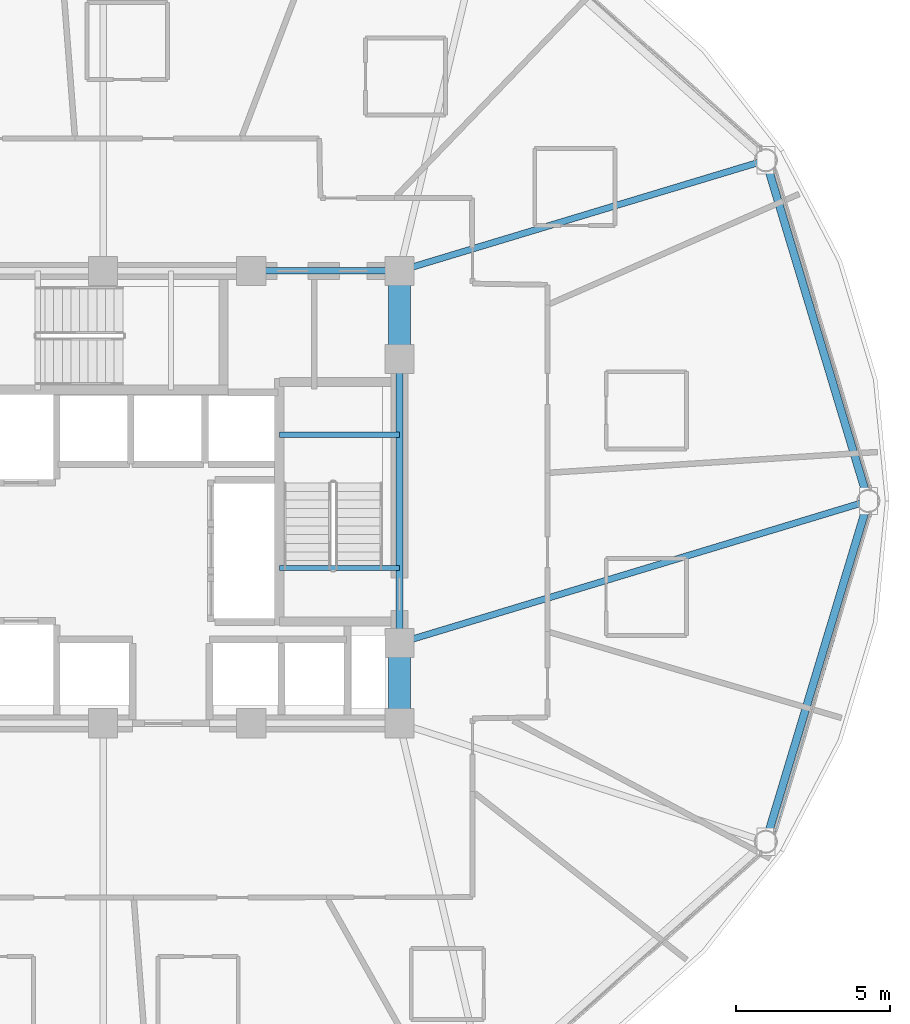
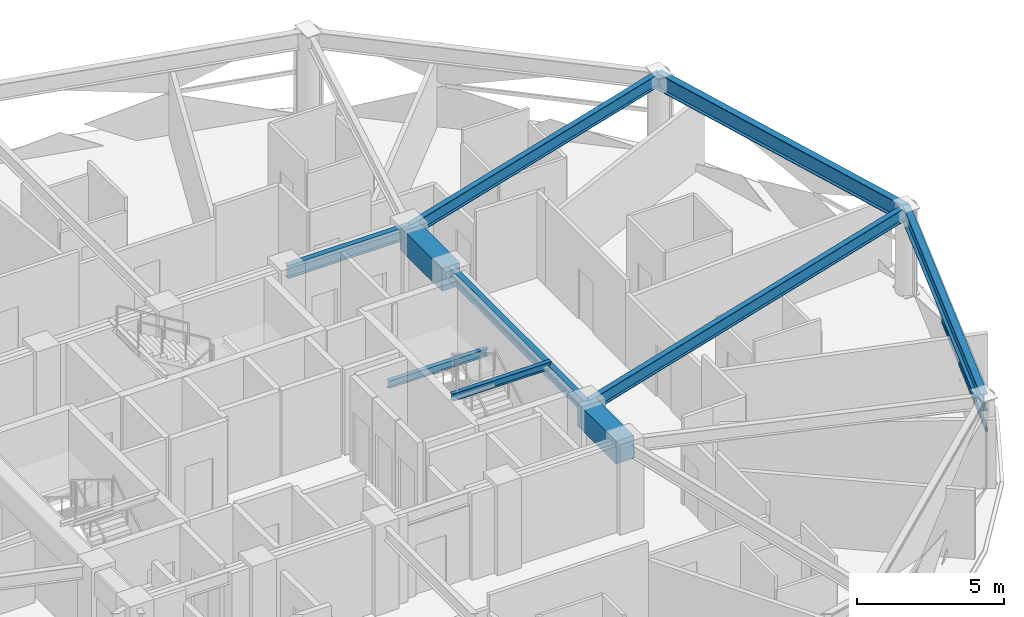
# One storey, part 12 of 30: 10 beams, 1 member, 1 element without a shape of its own.
"""IFC4 building model written with IfcOpenShell, lengths in metres."""

import ifcopenshell
import ifcopenshell.guid

model = None  # the IFC model being written
_history = None  # IfcOwnerHistory: only IFC2X3 demands one
_inside = {}  # id of a spatial element -> (the spatial element, [elements in it])
_under = {}  # id of a project, library or spatial element -> (it, [spatial elements below it])
_declared = {}  # id of a project -> (the project, [libraries it declares])
_typed = {}  # id of a type object -> (the type object, [elements of that type])
_made_of = {}  # id of a material, layer set ... -> (it, [elements and type objects made of it])


def new_model(schema):
    """Start an empty IFC model of exactly this schema.

    Asked for "IFC4X3", IfcOpenShell would pick the latest addendum, in which some entities
    have other attributes; the version numbers below select the first issue.
    IFC2X3 requires an IfcOwnerHistory on every rooted entity: one is made here for all.
    """
    global model, _history
    if schema == "IFC4X3":
        model = ifcopenshell.file(schema_version=(4, 3, 0, 0))
    else:
        model = ifcopenshell.file(schema=schema)
    _inside.clear()
    _under.clear()
    _declared.clear()
    _typed.clear()
    _made_of.clear()
    _history = None
    if model.schema == "IFC2X3":
        org = make("IfcOrganization", Name="unknown")
        user = make(
            "IfcPersonAndOrganization",
            ThePerson=make("IfcPerson", FamilyName="unknown"),
            TheOrganization=org,
        )
        app = make(
            "IfcApplication",
            ApplicationDeveloper=org,
            Version="unknown",
            ApplicationFullName="unknown",
            ApplicationIdentifier="unknown",
        )
        _history = make(
            "IfcOwnerHistory",
            OwningUser=user,
            OwningApplication=app,
            ChangeAction="ADDED",
            CreationDate=0,
        )
    return model


def make(cls, **values):
    """One entity of the class cls with the attributes given. An attribute that is None is left unset."""
    return model.create_entity(
        cls, **{name: value for name, value in values.items() if value is not None}
    )


def rooted(cls, **values):
    """An entity with a GlobalId (a new one), such as an element, a storey or a relation."""
    return make(cls, GlobalId=ifcopenshell.guid.new(), OwnerHistory=_history, **values)


def si_unit(unit_type, name, prefix=None):
    """IfcSIUnit, for example si_unit("LENGTHUNIT", "METRE", prefix="MILLI")."""
    return make("IfcSIUnit", UnitType=unit_type, Prefix=prefix, Name=name)


def assignment(units):
    """IfcUnitAssignment: the units of a project."""
    return None if units is None else make("IfcUnitAssignment", Units=units)


def point(xyz):
    """IfcCartesianPoint."""
    return None if xyz is None else make("IfcCartesianPoint", Coordinates=xyz)


def direction(xyz):
    """IfcDirection."""
    return None if xyz is None else make("IfcDirection", DirectionRatios=xyz)


def frame(location, z_axis=None, x_axis=None):
    """IfcAxis2Placement3D, a coordinate frame: its origin and axes. An axis left out is left unset."""
    return make(
        "IfcAxis2Placement3D",
        Location=point(location),
        Axis=direction(z_axis),
        RefDirection=direction(x_axis),
    )


def frame_2d(location, x_axis=None):
    """IfcAxis2Placement2D, a coordinate frame in the plane: its origin and x axis."""
    return make(
        "IfcAxis2Placement2D", Location=point(location), RefDirection=direction(x_axis)
    )


def origin():
    """The frame at (0, 0, 0) with its axes left unset."""
    return frame((0.0, 0.0, 0.0))


def origin_2d():
    """The frame at (0, 0) in the plane with its x axis left unset."""
    return frame_2d((0.0, 0.0))


def place(relative_to, where):
    """IfcLocalPlacement: puts the frame where relative to a parent placement (None: the world)."""
    return make(
        "IfcLocalPlacement", PlacementRelTo=relative_to, RelativePlacement=where
    )


def context(
    kind, dimensions, precision=None, world=None, true_north=None, identifier=None
):
    """IfcGeometricRepresentationContext, for example the 3D "Model" context."""
    return make(
        "IfcGeometricRepresentationContext",
        ContextIdentifier=identifier,
        ContextType=kind,
        CoordinateSpaceDimension=dimensions,
        Precision=precision,
        WorldCoordinateSystem=world,
        TrueNorth=true_north,
    )


def subcontext(parent, identifier, kind, view, scale=None):
    """IfcGeometricRepresentationSubContext, for example "Body" below "Model"."""
    return make(
        "IfcGeometricRepresentationSubContext",
        ContextIdentifier=identifier,
        ContextType=kind,
        ParentContext=parent,
        TargetScale=scale,
        TargetView=view,
    )


def project(units=None, contexts=None):
    """IfcProject with its units and contexts."""
    return rooted(
        "IfcProject",
        Name="project",
        RepresentationContexts=contexts,
        UnitsInContext=assignment(units),
    )


def spatial(cls, under=None, at=None, **own):
    """A site, building, storey or space (cls), placed at a placement, below another one or the project."""
    s = rooted(cls, ObjectPlacement=at, **own)
    if under is not None:
        _under.setdefault(under.id(), (under, []))[1].append(s)
    return s


def profile(cls, at=None, kind="AREA", **sizes):
    """A parametric profile (cls). Its sizes go by their IFC names, for example OverallWidth=200.0."""
    return make(cls, ProfileType=kind, Position=at, **sizes)


def rectangle(**sizes):
    """IfcRectangleProfileDef."""
    return profile("IfcRectangleProfileDef", **sizes)


def hollow_rectangle(**sizes):
    """IfcRectangleHollowProfileDef."""
    return profile("IfcRectangleHollowProfileDef", **sizes)


def i_section(**sizes):
    """IfcIShapeProfileDef."""
    return profile("IfcIShapeProfileDef", **sizes)


def extrude(swept, where, along, depth):
    """IfcExtrudedAreaSolid: the profile swept, set in the frame where, extruded along a direction by depth."""
    return make(
        "IfcExtrudedAreaSolid",
        SweptArea=swept,
        Position=where,
        ExtrudedDirection=direction(along),
        Depth=depth,
    )


def shape(context_of_items, identifier, shape_type, items):
    """IfcShapeRepresentation: the items that make up one representation, for example the "Body"."""
    return make(
        "IfcShapeRepresentation",
        ContextOfItems=context_of_items,
        RepresentationIdentifier=identifier,
        RepresentationType=shape_type,
        Items=items,
    )


def material(Name=None, Category=None):
    """IfcMaterial."""
    return make("IfcMaterial", Name=Name, Category=Category)


def layer(
    of_material, thickness, ventilated=None, Name=None, Category=None, Priority=None
):
    """IfcMaterialLayer: one layer of a wall or slab, of a material (None: an air gap)."""
    return make(
        "IfcMaterialLayer",
        Material=of_material,
        LayerThickness=thickness,
        IsVentilated=ventilated,
        Name=Name,
        Category=Category,
        Priority=Priority,
    )


def layer_set(layers, Name=None):
    """IfcMaterialLayerSet."""
    return make("IfcMaterialLayerSet", MaterialLayers=layers, LayerSetName=Name)


def material_profile(
    of_material, cross_section, Name=None, Category=None, Priority=None
):
    """IfcMaterialProfile: a cross section and its material."""
    return make(
        "IfcMaterialProfile",
        Name=Name,
        Material=of_material,
        Profile=cross_section,
        Priority=Priority,
        Category=Category,
    )


def profile_set(profiles, Name=None, composite=None):
    """IfcMaterialProfileSet."""
    return make(
        "IfcMaterialProfileSet",
        Name=Name,
        MaterialProfiles=profiles,
        CompositeProfile=composite,
    )


def made_of(thing, what):
    """Note that an element or type object is made of a material, layer set ...; save() writes the relation."""
    if what is not None:
        _made_of.setdefault(what.id(), (what, []))[1].append(thing)
    return thing


def type_object(cls, material=None, **own):
    """A type object (cls), such as IfcWallType, which elements share."""
    return made_of(rooted(cls, **own), material)


def element(
    cls,
    number,
    at=None,
    inside=None,
    cuts=None,
    type_object=None,
    material=None,
    context=None,
    identifier="Body",
    shape_type=None,
    held_by="IfcProductDefinitionShape",
    body=None,
    shapes=None,
    **own,
):
    """One element of the class cls, such as IfcWall. Its Tag is "e" and its number.

    at: its placement. inside: the storey or other place that contains it. cuts: it is an
    opening in that element (IfcRelVoidsElement). A single representation is given by context,
    identifier, shape_type and body (its items); several are given by shapes. held_by: the class
    of the entity that holds the representations. save() writes the other relations.
    """
    e = rooted(cls, Tag="e%d" % number, ObjectPlacement=at, **own)
    if body is not None:
        shapes = [shape(context, identifier, shape_type, body)]
    if shapes is not None:
        e.Representation = make(held_by, Representations=shapes)
    if inside is not None:
        _inside.setdefault(inside.id(), (inside, []))[1].append(e)
    if cuts is not None:
        rooted(
            "IfcRelVoidsElement", RelatingBuildingElement=cuts, RelatedOpeningElement=e
        )
    if type_object is not None:
        _typed.setdefault(type_object.id(), (type_object, []))[1].append(e)
    return made_of(e, material)


def aggregate(whole, parts):
    """IfcRelAggregates: a whole, such as a stair, and the parts it consists of."""
    return rooted("IfcRelAggregates", RelatingObject=whole, RelatedObjects=parts)


def save(model, path):
    """Write the relations noted so far, then the file.

    IfcRelAggregates (storeys below a building ...), IfcRelContainedInSpatialStructure (elements
    in a storey), IfcRelDefinesByType, IfcRelAssociatesMaterial and IfcRelDeclares: one each for
    every whole, place, type object, material and project.
    """
    for whole, parts in _under.values():
        aggregate(whole, parts)
    for where, things in _inside.values():
        rooted(
            "IfcRelContainedInSpatialStructure",
            RelatedElements=things,
            RelatingStructure=where,
        )
    for kind, things in _typed.values():
        rooted("IfcRelDefinesByType", RelatedObjects=things, RelatingType=kind)
    for what, things in _made_of.values():
        rooted("IfcRelAssociatesMaterial", RelatedObjects=things, RelatingMaterial=what)
    for by, libraries in _declared.values():
        rooted("IfcRelDeclares", RelatingContext=by, RelatedDefinitions=libraries)
    model.write(path)


model = new_model("IFC4")

# Units and contexts
model_context = context("Model", 3, precision=1e-05, world=origin(), true_north=direction((0.0, 1.0)))
body_context = subcontext(model_context, "Body", "Model", "MODEL_VIEW")
ifc_project = project(units=[si_unit("LENGTHUNIT", "METRE"), si_unit("AREAUNIT", "SQUARE_METRE"), si_unit("VOLUMEUNIT", "CUBIC_METRE"), si_unit("PLANEANGLEUNIT", "RADIAN"), si_unit("MASSUNIT", "GRAM", prefix="KILO")], contexts=[model_context])

# Site, building, storey
site_placement = place(None, origin())
site = spatial("IfcSite", under=ifc_project, at=site_placement, CompositionType="ELEMENT")
building_placement = place(site_placement, origin())
building = spatial("IfcBuilding", under=site, at=building_placement, Name="Vantalir Tower", CompositionType="ELEMENT")
storey_placement = place(building_placement, frame((0.0, 0.0, 153.449951171875)))
storey = spatial("IfcBuildingStorey", under=building, at=storey_placement, Name="L38", CompositionType="ELEMENT", Elevation=153.449951171875)

# Beams
ifc_material_1 = material(Name="Concrete C60/75", Category="concrete")
ifc_material_profile_1 = material_profile(ifc_material_1, rectangle(XDim=0.699951171875, YDim=0.949951171875, at=origin_2d()), Name="Concrete C60/75")
ifc_profile_set_1 = profile_set([ifc_material_profile_1], Name="Concrete C60/75")
beam_type_1 = type_object("IfcBeamType", Name="BM-CB-700x950", PredefinedType="USERDEFINED", material=ifc_profile_set_1)
beam_1_placement = place(storey_placement, frame((41.10009765625, 17.800048828125, 3.094970703125), z_axis=(0.0, 1.0, 0.0), x_axis=(-1.0, 0.0, 0.0)))
element("IfcBeam", 1, at=beam_1_placement, inside=storey, type_object=beam_type_1, Name="L38 Core Coupling Girder 05", ObjectType="GIRDER", PredefinedType="USERDEFINED", context=body_context, shape_type="SweptSolid", body=[
    extrude(rectangle(XDim=0.699951171875, YDim=0.949951171875, at=origin_2d()), origin(), (0.0, 0.0, 1.0), 2.599853515625),
])
beam_2_placement = place(storey_placement, frame((41.10009765625, 29.60009765625, 3.094970703125), z_axis=(0.0, 1.0, 0.0), x_axis=(-1.0, 0.0, 0.0)))
element("IfcBeam", 2, at=beam_2_placement, inside=storey, type_object=beam_type_1, Name="L38 Core Coupling Girder 07", ObjectType="GIRDER", PredefinedType="USERDEFINED", context=body_context, shape_type="SweptSolid", body=[
    extrude(rectangle(XDim=0.699951171875, YDim=0.949951171875, at=origin_2d()), origin(), (0.0, 0.0, 1.0), 2.849853515625),
])
ifc_material_2 = material(Name="Steel S355", Category="steel")
ifc_material_profile_2 = material_profile(ifc_material_2, i_section(OverallWidth=0.166015625, OverallDepth=0.306884765625, WebThickness=0.006591796875, FlangeThickness=0.01171875, at=origin_2d()), Name="Steel S355")
ifc_profile_set_2 = profile_set([ifc_material_profile_2], Name="Steel S355")
beam_type_2 = type_object("IfcBeamType", Name="BM-JS-305x165", PredefinedType="JOIST", material=ifc_profile_set_2)
for number, where, z_axis, x_axis, name in (
    (3, (37.2099609375, 22.8349609375, 3.595947265625), (1.0, 0.0, 0.0), (0.0, 1.0, 0.0), "L39 Stair ST2 Well Nosing Trimmer Beam"),
    (4, (37.2099609375, 27.14501953125, 1.52197265625), (1.0, 0.0, 0.0), (0.0, 1.0, 0.0), "L38 Stair ST2 Half-Landing Support Beam"),
):
    element("IfcBeam", number, at=place(storey_placement, frame(where, z_axis=z_axis, x_axis=x_axis)), inside=storey, type_object=beam_type_2, Name=name, PredefinedType="JOIST", context=body_context, shape_type="SweptSolid", body=[
        extrude(i_section(OverallWidth=0.166015625, OverallDepth=0.306884765625, WebThickness=0.006591796875, FlangeThickness=0.01171875, at=origin_2d()), origin(), (0.0, 0.0, 1.0), 3.89013671875),
    ])
ifc_material_profile_3 = material_profile(ifc_material_2, i_section(OverallWidth=0.2109375, OverallDepth=0.5390625, WebThickness=0.01171875, FlangeThickness=0.018798828125, at=origin_2d()), Name="Steel S355")
ifc_profile_set_3 = profile_set([ifc_material_profile_3], Name="Steel S355")
beam_type_3 = type_object("IfcBeamType", Name="BM-RB-533x210", PredefinedType="BEAM", material=ifc_profile_set_3)
beam_3_placement = place(storey_placement, frame((41.10009765625, 20.39990234375, 3.301025390625), z_axis=(0.0, 1.0, 0.0), x_axis=(-1.0, 0.0, 0.0)))
element("IfcBeam", 5, at=beam_3_placement, inside=storey, type_object=beam_type_3, Name="L38 Core Coupling Girder 06", PredefinedType="BEAM", context=body_context, shape_type="SweptSolid", body=[
    extrude(i_section(OverallWidth=0.2109375, OverallDepth=0.5390625, WebThickness=0.01171875, FlangeThickness=0.018798828125, at=origin_2d()), origin(), (0.0, 0.0, 1.0), 9.2001953125),
])
beam_4_placement = place(storey_placement, frame((41.10009765625, 32.449951171875, 3.301025390625), z_axis=(-1.0, 0.0, 0.0), x_axis=(0.0, -1.0, 0.0)))
element("IfcBeam", 6, at=beam_4_placement, inside=storey, type_object=beam_type_3, Name="L38 Core Coupling Girder 08", PredefinedType="BEAM", context=body_context, shape_type="SweptSolid", body=[
    extrude(i_section(OverallWidth=0.2109375, OverallDepth=0.5390625, WebThickness=0.01171875, FlangeThickness=0.018798828125, at=origin_2d()), origin(), (0.0, 0.0, 1.0), 4.800048828125),
])
beam_5_placement = place(storey_placement, frame((56.282958984375, 25.0, 3.301025390625), z_axis=(-0.957037864084, -0.289962974723, 0.0), x_axis=(0.289962974723, -0.957037864084, 0.0)))
element("IfcBeam", 7, at=beam_5_placement, inside=storey, type_object=beam_type_3, Name="L38 Radial Floor Beam 01", PredefinedType="BEAM", context=body_context, shape_type="SweptSolid", body=[
    extrude(i_section(OverallWidth=0.2109375, OverallDepth=0.5390625, WebThickness=0.01171875, FlangeThickness=0.018798828125, at=origin_2d()), origin(), (0.0, 0.0, 1.0), 15.864501953125),
])
beam_6_placement = place(storey_placement, frame((52.962890625, 36.033935546875, 3.301025390625), z_axis=(-0.957265983096, -0.289208986043, 0.0), x_axis=(0.289208986043, -0.957265983096, 0.0)))
element("IfcBeam", 8, at=beam_6_placement, inside=storey, type_object=beam_type_3, Name="L38 Radial Floor Beam 02", PredefinedType="BEAM", context=body_context, shape_type="SweptSolid", body=[
    extrude(i_section(OverallWidth=0.2109375, OverallDepth=0.5390625, WebThickness=0.01171875, FlangeThickness=0.018798828125, at=origin_2d()), origin(), (0.0, 0.0, 1.0), 12.392333984375),
])
ifc_material_3 = material(Name="Steel S460", Category="steel")
ifc_material_profile_4 = material_profile(ifc_material_3, i_section(OverallWidth=0.256103515625, OverallDepth=0.693115234375, WebThickness=0.014404296875, FlangeThickness=0.023681640625, at=origin_2d()), Name="Steel S460")
ifc_profile_set_4 = profile_set([ifc_material_profile_4], Name="Steel S460")
beam_type_4 = type_object("IfcBeamType", Name="BM-RG-686x254", PredefinedType="USERDEFINED", material=ifc_profile_set_4)
beam_7_placement = place(storey_placement, frame((56.282958984375, 25.0, 3.22412109375), z_axis=(-0.288135047515, 0.957589783986, 0.0), x_axis=(-0.957589783986, -0.288135047515, 0.0)))
element("IfcBeam", 9, at=beam_7_placement, inside=storey, type_object=beam_type_4, Name="L38 Circumferential Ring Girder 01", ObjectType="GIRDER", PredefinedType="USERDEFINED", context=body_context, shape_type="SweptSolid", body=[
    extrude(i_section(OverallWidth=0.256103515625, OverallDepth=0.693115234375, WebThickness=0.014404296875, FlangeThickness=0.023681640625, at=origin_2d()), origin(), (0.0, 0.0, 1.0), 11.522705078125),
])
beam_8_placement = place(storey_placement, frame((52.962890625, 13.965087890625, 3.22412109375), z_axis=(0.288111665009, 0.95759681938, 0.0), x_axis=(-0.95759681938, 0.288111665009, 0.0)))
element("IfcBeam", 10, at=beam_8_placement, inside=storey, type_object=beam_type_4, Name="L38 Circumferential Ring Girder 12", ObjectType="GIRDER", PredefinedType="USERDEFINED", context=body_context, shape_type="SweptSolid", body=[
    extrude(i_section(OverallWidth=0.256103515625, OverallDepth=0.693115234375, WebThickness=0.014404296875, FlangeThickness=0.023681640625, at=origin_2d()), origin(), (0.0, 0.0, 1.0), 11.5234375),
])

# Curtain wall, member
ifc_material_4 = material(Name="Champagne-silver PVDF aluminium and double-silver Low-E glass", Category="aluminium")
ifc_layer = layer(ifc_material_4, 0.199951171875)
ifc_layer_set = layer_set([ifc_layer], Name="Champagne-silver PVDF aluminium and double-silver Low-E glass")
curtain_wall_type = type_object("IfcCurtainWallType", Name="CW-DIAMOND-Z2", PredefinedType="USERDEFINED", material=ifc_layer_set)
curtain_wall_placement = place(storey_placement, origin())
curtain_wall = element("IfcCurtainWall", 11, at=curtain_wall_placement, inside=storey, type_object=curtain_wall_type, Name="L38 Quilted Pyramid-Diamond Curtain Wall S12", ObjectType="UNITISED CURTAIN WALL", PredefinedType="USERDEFINED")
ifc_material_5 = material(Name="Champagne-silver PVDF aluminium 6063-T6", Category="aluminium")
ifc_material_profile_5 = material_profile(ifc_material_5, hollow_rectangle(XDim=0.074951171875, YDim=0.159912109375, WallThickness=0.00390625, at=origin_2d()), Name="Champagne-silver PVDF aluminium 6063-T6")
ifc_profile_set_5 = profile_set([ifc_material_profile_5], Name="Champagne-silver PVDF aluminium 6063-T6")
member_type = type_object("IfcMemberType", Name="CWT-160x75", PredefinedType="USERDEFINED", material=ifc_profile_set_5)
member_placement = place(storey_placement, frame((53.25390625, 14.291015625, 1.78515625), z_axis=(0.291332200771, 0.95662194664, 0.0), x_axis=(-0.95662194664, 0.291332200771, 0.0)))
member = element("IfcMember", 12, at=member_placement, type_object=member_type, Name="CW-L38-S12 Pyramid Fold Ridge Transom", ObjectType="TRANSOM", PredefinedType="USERDEFINED", context=body_context, shape_type="SweptSolid", body=[
    extrude(hollow_rectangle(XDim=0.074951171875, YDim=0.159912109375, WallThickness=0.00390625, at=origin_2d()), origin(), (0.0, 0.0, 1.0), 6.6630859375),
])
aggregate(curtain_wall, [member])

save(model, "model.ifc")
